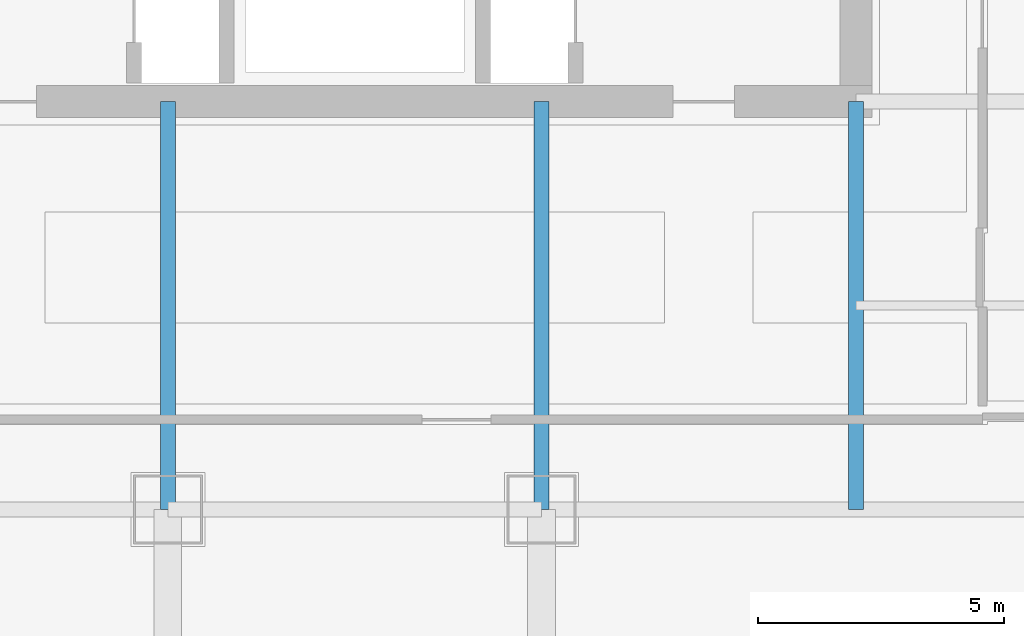
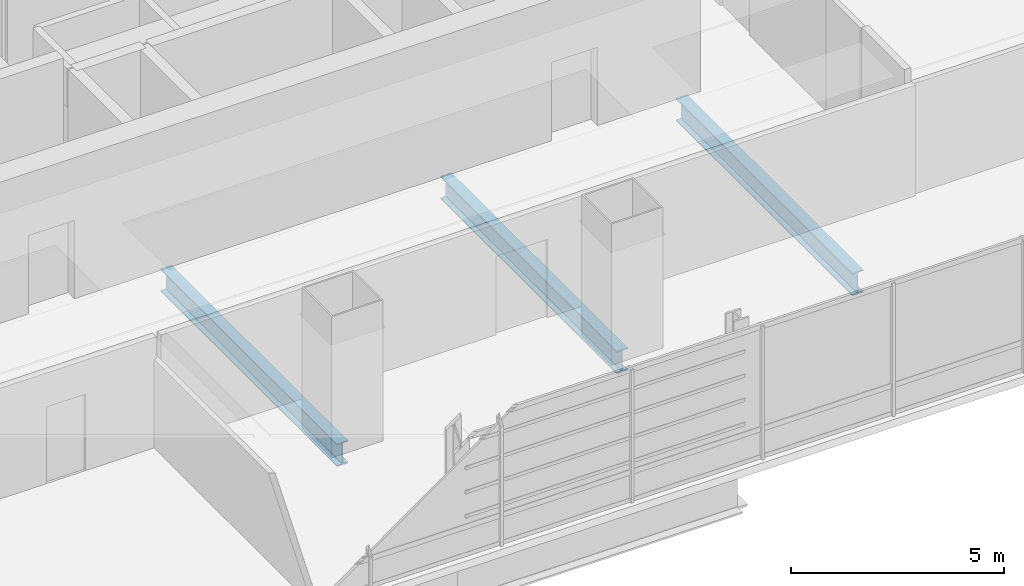
# One storey, part 8 of 37: 3 beams.
"""IFC4 building model written with IfcOpenShell, lengths in metres."""

from ifc_helpers import new_model, si_unit, direction, frame, origin, origin_2d, place, context, subcontext, project, spatial, i_section, extrude, material, material_profile, profile_set, type_object, element, save


model = new_model("IFC4")

# Units and contexts
model_context = context("Model", 3, precision=1e-05, world=origin(), true_north=direction((0.0, 1.0)))
body_context = subcontext(model_context, "Body", "Model", "MODEL_VIEW")
ifc_project = project(units=[si_unit("LENGTHUNIT", "METRE"), si_unit("AREAUNIT", "SQUARE_METRE"), si_unit("VOLUMEUNIT", "CUBIC_METRE"), si_unit("PLANEANGLEUNIT", "RADIAN"), si_unit("MASSUNIT", "GRAM", prefix="KILO")], contexts=[model_context])

# Site, building, storey
site_placement = place(None, origin())
site = spatial("IfcSite", under=ifc_project, at=site_placement, CompositionType="ELEMENT")
building_placement = place(site_placement, origin())
building = spatial("IfcBuilding", under=site, at=building_placement, Name="Punatoya Terracotta Tower", CompositionType="ELEMENT")
storey_placement = place(building_placement, frame((0.0, 0.0, 224.85009765625)))
storey = spatial("IfcBuildingStorey", under=building, at=storey_placement, Name="L53", CompositionType="ELEMENT", Elevation=224.85009765625)

# Beams
ifc_material = material(Name="Steel S355", Category="steel")
ifc_material_profile = material_profile(ifc_material, i_section(OverallWidth=0.300048828125, OverallDepth=0.64990234375, WebThickness=0.01611328125, FlangeThickness=0.031005859375, FilletRadius=0.01806640625, at=origin_2d()))
ifc_profile_set = profile_set([ifc_material_profile], Name="Steel S355")
beam_type = type_object("IfcBeamType", Name="BM-PRI-650", PredefinedType="BEAM", material=ifc_profile_set)
for number, where, z_axis, x_axis, name in (
    (1, (-3.800048828125, -17.5, -0.545166015625), (0.0, 1.0, 0.0), (-1.0, 0.0, 0.0), "BM-L53-PR-S2"),
    (2, (3.800048828125, -17.5, -0.545166015625), (0.0, 1.0, 0.0), (-1.0, 0.0, 0.0), "BM-L53-PR-S3"),
    (3, (10.199951171875, -17.5, -0.545166015625), (0.0, 1.0, 0.0), (-1.0, 0.0, 0.0), "BM-L53-PR-S4"),
):
    element("IfcBeam", number, at=place(storey_placement, frame(where, z_axis=z_axis, x_axis=x_axis)), inside=storey, type_object=beam_type, Name=name, PredefinedType="BEAM", context=body_context, shape_type="SweptSolid", body=[
        extrude(i_section(OverallWidth=0.300048828125, OverallDepth=0.64990234375, WebThickness=0.01611328125, FlangeThickness=0.031005859375, FilletRadius=0.01806640625, at=origin_2d()), origin(), (0.0, 0.0, 1.0), 8.300048828125),
    ])

save(model, "model.ifc")
